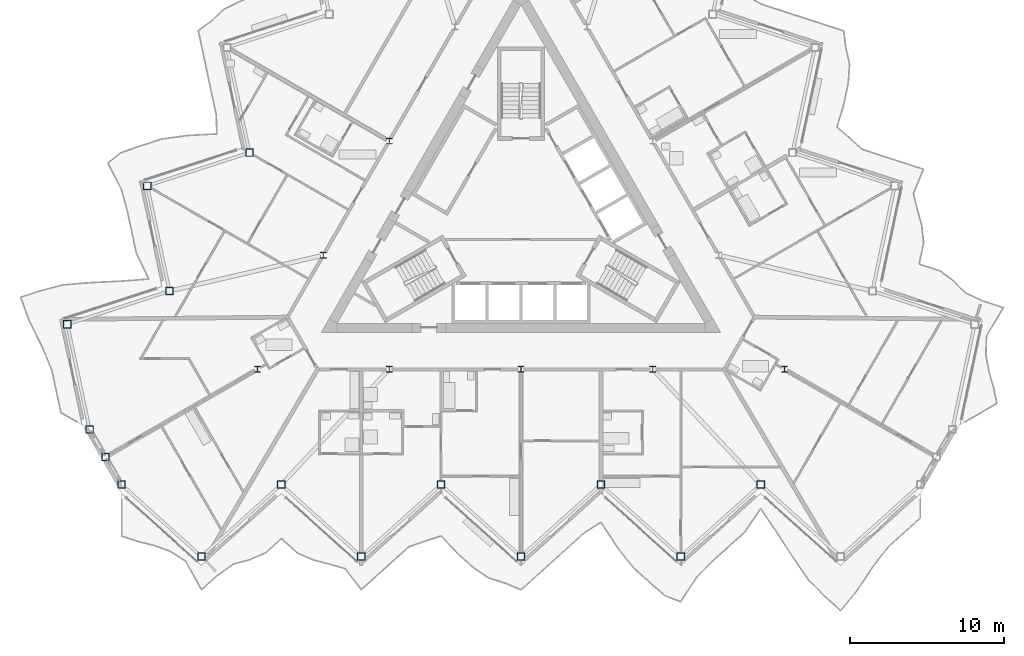
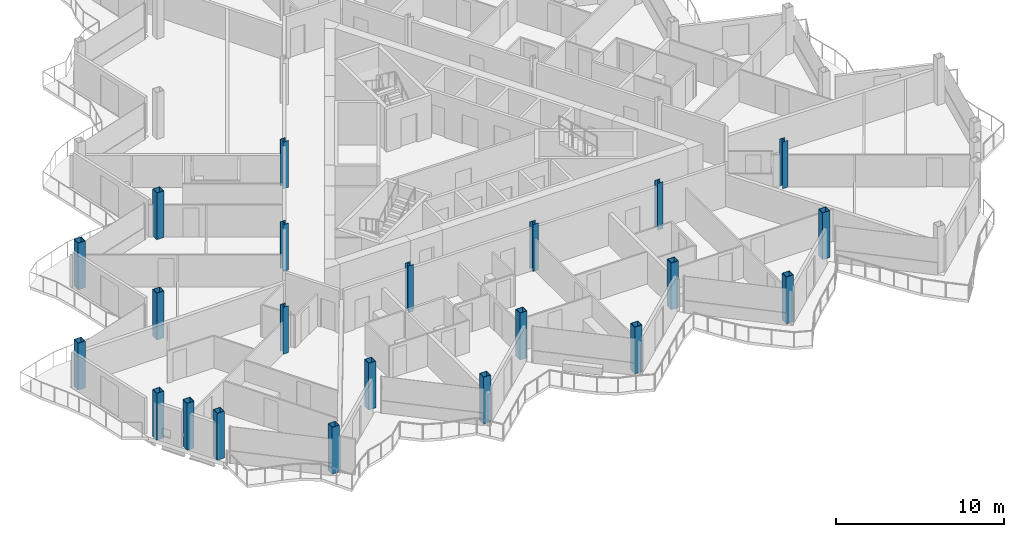
# One storey, part 1 of 26: 22 columns.
"""IFC4 building model written with IfcOpenShell, lengths in metres."""

from ifc_helpers import new_model, si_unit, direction, frame, origin, origin_2d, place, context, subcontext, project, spatial, hollow_rectangle, i_section, extrude, material, material_profile, profile_set, type_object, element, save


model = new_model("IFC4")

# Units and contexts
model_context = context("Model", 3, precision=1e-05, world=origin(), true_north=direction((0.0, 1.0)))
body_context = subcontext(model_context, "Body", "Model", "MODEL_VIEW")
ifc_project = project(units=[si_unit("LENGTHUNIT", "METRE"), si_unit("AREAUNIT", "SQUARE_METRE"), si_unit("VOLUMEUNIT", "CUBIC_METRE"), si_unit("PLANEANGLEUNIT", "RADIAN"), si_unit("MASSUNIT", "GRAM", prefix="KILO")], contexts=[model_context])

# Site, building, storey
site_placement = place(None, origin())
site = spatial("IfcSite", under=ifc_project, at=site_placement, CompositionType="ELEMENT")
building_placement = place(site_placement, origin())
building = spatial("IfcBuilding", under=site, at=building_placement, Name="Cormorant Prow Tower", CompositionType="ELEMENT")
storey_placement = place(building_placement, frame((0.0, 0.0, 374.60009765625)))
storey = spatial("IfcBuildingStorey", under=building, at=storey_placement, Name="L84", CompositionType="ELEMENT", Elevation=374.60009765625)

# Columns
ifc_material_1 = material(Name="Structural steel ASTM A572 Gr 50", Category="steel")
ifc_material_profile_1 = material_profile(ifc_material_1, hollow_rectangle(XDim=0.5, YDim=0.5, WallThickness=0.030029296875, at=origin_2d()), Name="Box 500x500x30")
ifc_profile_set_1 = profile_set([ifc_material_profile_1], Name="Structural steel ASTM A572 Gr 50")
column_type_1 = type_object("IfcColumnType", Name="Perimeter box column 500x500x30", PredefinedType="COLUMN", material=ifc_profile_set_1)
for number, where, z_axis, x_axis, name in (
    (1, (-26.0, -17.40576171875, 0.0), (0.0, 0.0, 1.0), (1.0, 0.0, 0.0), "Perimeter column C7 at S00 L84"),
    (2, (-20.800048828125, -22.087890625, 0.0), (0.0, 0.0, 1.0), (1.0, 0.0, 0.0), "Perimeter column C7 at S01 L84"),
    (3, (-15.60009765625, -17.40576171875, 0.0), (0.0, 0.0, 1.0), (1.0, 0.0, 0.0), "Perimeter column C7 at S02 L84"),
    (4, (-10.39990234375, -22.087890625, 0.0), (0.0, 0.0, 1.0), (1.0, 0.0, 0.0), "Perimeter column C7 at S03 L84"),
    (5, (-5.199951171875, -17.40576171875, 0.0), (0.0, 0.0, 1.0), (1.0, 0.0, 0.0), "Perimeter column C7 at S04 L84"),
    (6, (0.0, -22.087890625, 0.0), (0.0, 0.0, 1.0), (1.0, 0.0, 0.0), "Perimeter column C7 at S05 L84"),
    (7, (5.199951171875, -17.40576171875, 0.0), (0.0, 0.0, 1.0), (1.0, 0.0, 0.0), "Perimeter column C7 at S06 L84"),
    (8, (10.39990234375, -22.087890625, 0.0), (0.0, 0.0, 1.0), (1.0, 0.0, 0.0), "Perimeter column C7 at S07 L84"),
    (9, (15.60009765625, -17.40576171875, 0.0), (0.0, 0.0, 1.0), (1.0, 0.0, 0.0), "Perimeter column C7 at S08 L84"),
    (10, (-17.673828125, 4.199462890625, 0.0), (0.0, 0.0, 1.0), (1.0, 0.0, 0.0), "Perimeter column C7 at WNW06 L84"),
    (11, (-24.32861328125, 2.037353515625, 0.0), (0.0, 0.0, 1.0), (1.0, 0.0, 0.0), "Perimeter column C7 at WNW07 L84"),
    (12, (-22.873779296875, -4.80712890625, 0.0), (0.0, 0.0, 1.0), (1.0, 0.0, 0.0), "Perimeter column C7 at WNW08 L84"),
    (13, (-29.528564453125, -6.969482421875, 0.0), (0.0, 0.0, 1.0), (1.0, 0.0, 0.0), "Perimeter column C7 at WNW09 L84"),
    (14, (-28.07373046875, -13.813720703125, 0.0), (0.0, 0.0, 1.0), (1.0, 0.0, 0.0), "Perimeter column C7 at WSW00 L84"),
    (15, (-27.036865234375, -15.60986328125, 0.0), (0.0, 0.0, 1.0), (1.0, 0.0, 0.0), "Perimeter column C7 at WSW01 L84"),
):
    element("IfcColumn", number, at=place(storey_placement, frame(where, z_axis=z_axis, x_axis=x_axis)), inside=storey, type_object=column_type_1, Name=name, PredefinedType="COLUMN", context=body_context, shape_type="SweptSolid", body=[
        extrude(hollow_rectangle(XDim=0.5, YDim=0.5, WallThickness=0.030029296875, at=origin_2d()), origin(), (0.0, 0.0, 1.0), 3.39990234375),
    ])
ifc_material_2 = material(Name="Structural steel ASTM A992 Gr 50", Category="steel")
ifc_material_profile_2 = material_profile(ifc_material_2, i_section(OverallWidth=0.3740234375, OverallDepth=0.372314453125, WebThickness=0.016357421875, FlangeThickness=0.026123046875, at=origin_2d()), Name="W14x132")
ifc_profile_set_2 = profile_set([ifc_material_profile_2], Name="Structural steel ASTM A992 Gr 50")
column_type_2 = type_object("IfcColumnType", Name="Ring column W14x132", PredefinedType="COLUMN", material=ifc_profile_set_2)
for number, where, z_axis, x_axis, name in (
    (16, (-8.578369140625, 4.952880859375, 0.0), (0.0, 0.0, 1.0), (1.0, 0.0, 0.0), "Ring column 3 L84"),
    (17, (-12.86767578125, -2.476318359375, 0.0), (0.0, 0.0, 1.0), (1.0, 0.0, 0.0), "Ring column 4 L84"),
    (18, (-17.156982421875, -9.905517578125, 0.0), (0.0, 0.0, 1.0), (1.0, 0.0, 0.0), "Ring column 5 L84"),
    (19, (-8.578369140625, -9.905517578125, 0.0), (0.0, 0.0, 1.0), (1.0, 0.0, 0.0), "Ring column 6 L84"),
    (20, (0.0, -9.905517578125, 0.0), (0.0, 0.0, 1.0), (1.0, 0.0, 0.0), "Ring column 7 L84"),
    (21, (8.578369140625, -9.905517578125, 0.0), (0.0, 0.0, 1.0), (1.0, 0.0, 0.0), "Ring column 8 L84"),
    (22, (17.156982421875, -9.905517578125, 0.0), (0.0, 0.0, 1.0), (1.0, 0.0, 0.0), "Ring column 9 L84"),
):
    element("IfcColumn", number, at=place(storey_placement, frame(where, z_axis=z_axis, x_axis=x_axis)), inside=storey, type_object=column_type_2, Name=name, PredefinedType="COLUMN", context=body_context, shape_type="SweptSolid", body=[
        extrude(i_section(OverallWidth=0.3740234375, OverallDepth=0.372314453125, WebThickness=0.016357421875, FlangeThickness=0.026123046875, at=origin_2d()), origin(), (0.0, 0.0, 1.0), 3.39990234375),
    ])

save(model, "model.ifc")
